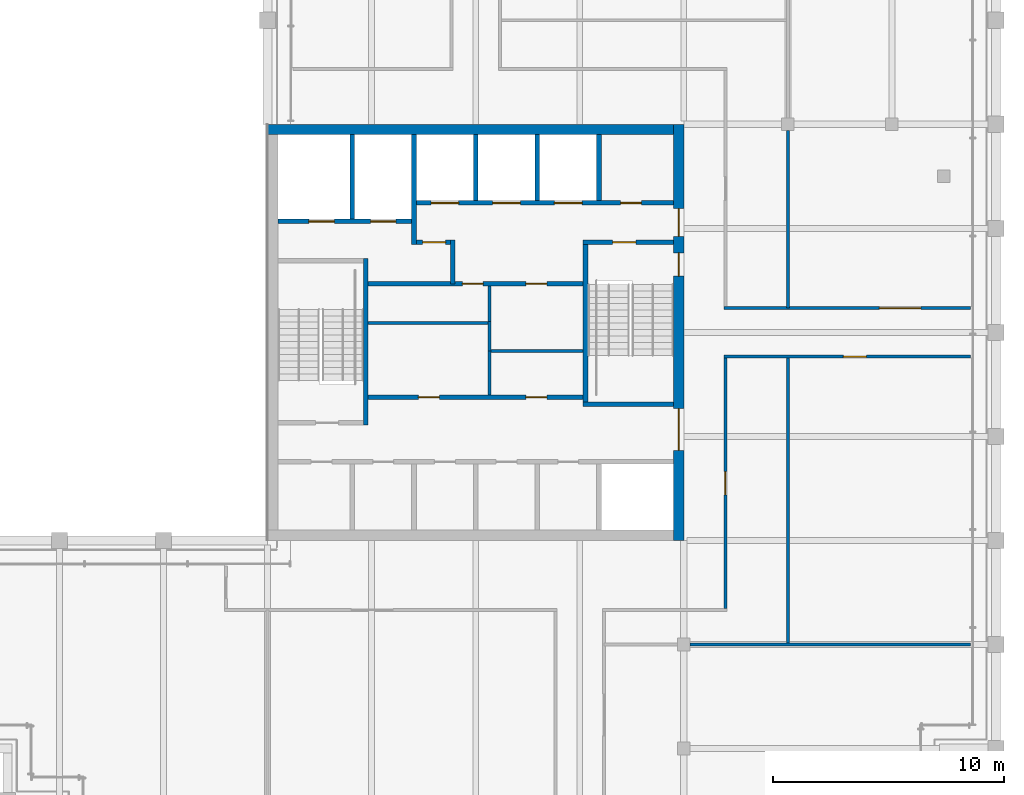
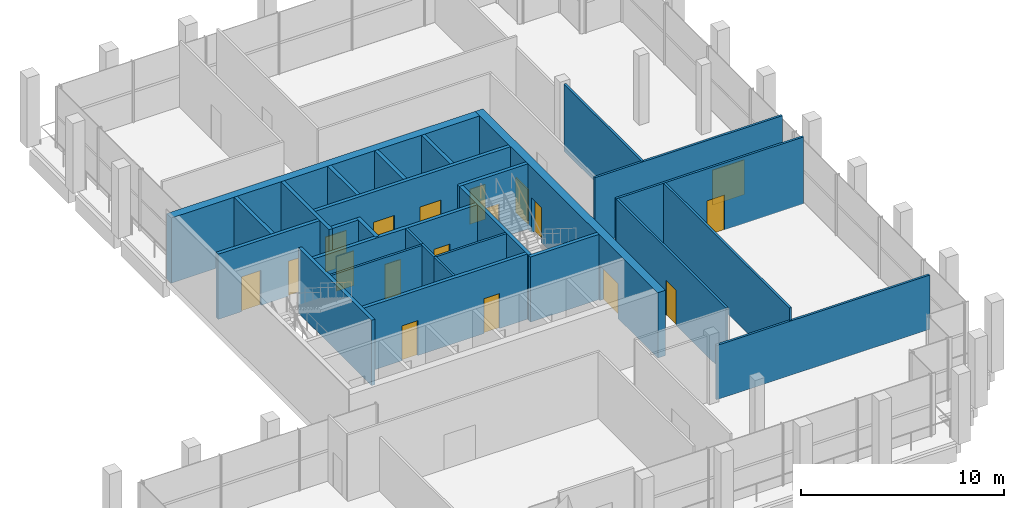
# One storey, part 15 of 17: 28 walls, 18 doors, 18 openings.
"""IFC4 building model written with IfcOpenShell, lengths in metres."""

from ifc_helpers import new_model, si_unit, direction, frame, frame_2d, origin, place, context, subcontext, project, spatial, rectangle, extrude, material, layer, layer_set, type_object, element, fill, save


model = new_model("IFC4")

# Units and contexts
model_context = context("Model", 3, precision=1e-05, world=origin(), true_north=direction((0.0, 1.0)))
body_context = subcontext(model_context, "Body", "Model", "MODEL_VIEW")
ifc_project = project(units=[si_unit("LENGTHUNIT", "METRE"), si_unit("AREAUNIT", "SQUARE_METRE"), si_unit("VOLUMEUNIT", "CUBIC_METRE"), si_unit("PLANEANGLEUNIT", "RADIAN"), si_unit("MASSUNIT", "GRAM", prefix="KILO")], contexts=[model_context])

# Site, building, storey
site_placement = place(None, origin())
site = spatial("IfcSite", under=ifc_project, at=site_placement, CompositionType="ELEMENT")
building_placement = place(site_placement, origin())
building = spatial("IfcBuilding", under=site, at=building_placement, Name="Altepetl Exchange Towers", CompositionType="ELEMENT")
storey_placement = place(building_placement, frame((0.0, 0.0, 259.39990234375)))
storey = spatial("IfcBuildingStorey", under=building, at=storey_placement, Name="L66", CompositionType="ELEMENT", Elevation=259.39990234375)

# Wall, openings, doors
ifc_material_1 = material(Name="Concrete C70/85", Category="concrete")
ifc_layer_1 = layer(ifc_material_1, 0.449951171875)
ifc_layer_set_1 = layer_set([ifc_layer_1], Name="Concrete C70/85")
wall_type_1 = type_object("IfcWallType", Name="Core wall 450 reinforced concrete", PredefinedType="SHEAR", material=ifc_layer_set_1)
wall_1_placement = place(storey_placement, frame((58.27490234375, 40.5, 0.0), z_axis=(0.0, 0.0, 1.0), x_axis=(0.0, 1.0, 0.0)))
wall_1 = element("IfcWall", 1, at=wall_1_placement, inside=storey, type_object=wall_type_1, Name="wall:A:L66:K-coreE", PredefinedType="SHEAR", context=body_context, shape_type="SweptSolid", body=[
    extrude(rectangle(XDim=18.0, YDim=0.449951171875, at=frame_2d((9.0, 0.0))), origin(), (0.0, 0.0, 1.0), 3.925048828125),
])
opening_1_placement = place(wall_1_placement, frame((13.14990234375, 0.0, 0.0)))
opening_1 = element("IfcOpeningElement", 2, at=opening_1_placement, cuts=wall_1, Name="Opening L66.A60", PredefinedType="OPENING", context=body_context, shape_type="SweptSolid", body=[
    extrude(rectangle(XDim=1.199951171875, YDim=2.10009765625, at=frame_2d((0.60009765625, 1.050048828125))), frame((0.0, 0.23486328125, 0.0), z_axis=(0.0, -1.0, 0.0), x_axis=(1.0, 0.0, 0.0)), (0.0, 0.0, 1.0), 0.469970703125),
])
opening_2_placement = place(wall_1_placement, frame((3.89990234375, 0.0, 0.0)))
opening_2 = element("IfcOpeningElement", 3, at=opening_2_placement, cuts=wall_1, Name="Opening L66.A61", PredefinedType="OPENING", context=body_context, shape_type="SweptSolid", body=[
    extrude(rectangle(XDim=1.800048828125, YDim=2.10009765625, at=frame_2d((0.89990234375, 1.050048828125))), frame((0.0, 0.23486328125, 0.0), z_axis=(0.0, -1.0, 0.0), x_axis=(1.0, 0.0, 0.0)), (0.0, 0.0, 1.0), 0.469970703125),
])
opening_3_placement = place(wall_1_placement, frame((11.43994140625, 0.0, 0.0)))
opening_3 = element("IfcOpeningElement", 4, at=opening_3_placement, cuts=wall_1, Name="Opening L66.A64", PredefinedType="OPENING", context=body_context, shape_type="SweptSolid", body=[
    extrude(rectangle(XDim=1.0, YDim=2.10009765625, at=frame_2d((0.5, 1.050048828125))), frame((0.0, 0.23486328125, 0.0), z_axis=(0.0, -1.0, 0.0), x_axis=(1.0, 0.0, 0.0)), (0.0, 0.0, 1.0), 0.469970703125),
])
ifc_material_2 = material(Name="Steel and timber fire door", Category="steel")
door_type_1 = type_object("IfcDoorType", Name="Fire door 1000 x 2100 stair and lobby", OperationType="SINGLE_SWING_LEFT", PredefinedType="DOOR", material=ifc_material_2)
door_1_placement = place(opening_3_placement, origin())
door_1 = element("IfcDoor", 5, at=door_1_placement, inside=storey, type_object=door_type_1, Name="door:A:L66:K-dS2x", OperationType="SINGLE_SWING_RIGHT", OverallHeight=2.10009765625, OverallWidth=1.0, PredefinedType="DOOR", context=body_context, shape_type="SweptSolid", body=[
    extrude(rectangle(XDim=1.0, YDim=2.10009765625, at=frame_2d((0.5, 1.050048828125))), frame((0.0, 0.02490234375, 0.0), z_axis=(0.0, -1.0, 0.0), x_axis=(1.0, 0.0, 0.0)), (0.0, 0.0, 1.0), 0.050048828125),
])
fill(opening_3, door_1)
door_type_2 = type_object("IfcDoorType", Name="Fire door 1200 x 2100 lobby entry", OperationType="SINGLE_SWING_LEFT", PredefinedType="DOOR", material=ifc_material_2)
door_2_placement = place(opening_1_placement, origin())
door_2 = element("IfcDoor", 6, at=door_2_placement, inside=storey, type_object=door_type_2, Name="door:A:L66:K-dLNE", OperationType="SINGLE_SWING_RIGHT", OverallHeight=2.10009765625, OverallWidth=1.199951171875, PredefinedType="DOOR", context=body_context, shape_type="SweptSolid", body=[
    extrude(rectangle(XDim=1.199951171875, YDim=2.10009765625, at=frame_2d((0.60009765625, 1.050048828125))), frame((0.0, 0.02490234375, 0.0), z_axis=(0.0, -1.0, 0.0), x_axis=(1.0, 0.0, 0.0)), (0.0, 0.0, 1.0), 0.050048828125),
])
fill(opening_1, door_2)
door_type_3 = type_object("IfcDoorType", Name="Fire door 1800 x 2100 lobby entry", OperationType="DOUBLE_DOOR_SINGLE_SWING", PredefinedType="DOOR", material=ifc_material_2)
door_3_placement = place(opening_2_placement, origin())
door_3 = element("IfcDoor", 7, at=door_3_placement, inside=storey, type_object=door_type_3, Name="door:A:L66:K-dLSE", OperationType="DOUBLE_DOOR_SINGLE_SWING", OverallHeight=2.10009765625, OverallWidth=1.800048828125, PredefinedType="DOOR", context=body_context, shape_type="SweptSolid", body=[
    extrude(rectangle(XDim=1.800048828125, YDim=2.10009765625, at=frame_2d((0.89990234375, 1.050048828125))), frame((0.0, 0.02490234375, 0.0), z_axis=(0.0, -1.0, 0.0), x_axis=(1.0, 0.0, 0.0)), (0.0, 0.0, 1.0), 0.050048828125),
])
fill(opening_2, door_3)

# Walls
wall_2_placement = place(storey_placement, frame((40.5, 58.27490234375, 0.0)))
element("IfcWall", 8, at=wall_2_placement, inside=storey, type_object=wall_type_1, Name="wall:A:L66:K-coreN", PredefinedType="SHEAR", context=body_context, shape_type="SweptSolid", body=[
    extrude(rectangle(XDim=17.550048828125, YDim=0.449951171875, at=frame_2d((8.77490234375, 0.0))), origin(), (0.0, 0.0, 1.0), 3.925048828125),
])
ifc_material_3 = material(Name="Concrete blockwork", Category="masonry")
ifc_layer_2 = layer(ifc_material_3, 0.199951171875)
ifc_layer_set_2 = layer_set([ifc_layer_2], Name="Concrete blockwork")
wall_type_2 = type_object("IfcWallType", Name="Lobby wall 200 blockwork", PredefinedType="PARTITIONING", material=ifc_layer_set_2)
wall_3_placement = place(storey_placement, frame((48.5, 51.60009765625, 0.0), z_axis=(0.0, 0.0, 1.0), x_axis=(0.0, 1.0, 0.0)))
element("IfcWall", 9, at=wall_3_placement, inside=storey, type_object=wall_type_2, Name="wall:A:L66:K-ffE", PredefinedType="PARTITIONING", context=body_context, shape_type="SweptSolid", body=[
    extrude(rectangle(XDim=1.89990234375, YDim=0.199951171875, at=frame_2d((0.949951171875, 0.0))), origin(), (0.0, 0.0, 1.0), 3.925048828125),
])

# Wall, opening, door
wall_4_placement = place(storey_placement, frame((46.933349609375, 53.39990234375, 0.0)))
wall_4 = element("IfcWall", 10, at=wall_4_placement, inside=storey, type_object=wall_type_2, Name="wall:A:L66:K-ffN", PredefinedType="PARTITIONING", context=body_context, shape_type="SweptSolid", body=[
    extrude(rectangle(XDim=1.466552734375, YDim=0.199951171875, at=frame_2d((0.7333984375, 0.0))), origin(), (0.0, 0.0, 1.0), 3.925048828125),
])
opening_4_placement = place(wall_4_placement, frame((0.2666015625, 0.0, 0.0)))
opening_4 = element("IfcOpeningElement", 11, at=opening_4_placement, cuts=wall_4, Name="Opening L66.A65", PredefinedType="OPENING", context=body_context, shape_type="SweptSolid", body=[
    extrude(rectangle(XDim=1.0, YDim=2.10009765625, at=frame_2d((0.5, 1.050048828125))), frame((0.0, 0.10986328125, 0.0), z_axis=(0.0, -1.0, 0.0), x_axis=(1.0, 0.0, 0.0)), (0.0, 0.0, 1.0), 0.219970703125),
])
door_4_placement = place(opening_4_placement, frame((1.0, 0.0, 0.0), x_axis=(-1.0, 0.0, 0.0)))
door_4 = element("IfcDoor", 12, at=door_4_placement, inside=storey, type_object=door_type_1, Name="door:A:L66:K-dffN", OperationType="SINGLE_SWING_RIGHT", OverallHeight=2.10009765625, OverallWidth=1.0, PredefinedType="DOOR", context=body_context, shape_type="SweptSolid", body=[
    extrude(rectangle(XDim=1.0, YDim=2.10009765625, at=frame_2d((0.5, 1.050048828125))), frame((0.0, 0.02490234375, 0.0), z_axis=(0.0, -1.0, 0.0), x_axis=(1.0, 0.0, 0.0)), (0.0, 0.0, 1.0), 0.050048828125),
])
fill(opening_4, door_4)

# Wall, openings, doors
wall_5_placement = place(storey_placement, frame((44.85009765625, 51.60009765625, 0.0)))
wall_5 = element("IfcWall", 13, at=wall_5_placement, inside=storey, type_object=wall_type_2, Name="wall:A:L66:K-zoneN", PredefinedType="PARTITIONING", context=body_context, shape_type="SweptSolid", body=[
    extrude(rectangle(XDim=9.2998046875, YDim=0.199951171875, at=frame_2d((4.64990234375, 0.0))), origin(), (0.0, 0.0, 1.0), 3.925048828125),
])
opening_5_placement = place(wall_5_placement, frame((4.074951171875, 0.0, 0.0)))
opening_5 = element("IfcOpeningElement", 14, at=opening_5_placement, cuts=wall_5, Name="Opening L66.A73", PredefinedType="OPENING", context=body_context, shape_type="SweptSolid", body=[
    extrude(rectangle(XDim=0.89990234375, YDim=2.10009765625, at=frame_2d((0.449951171875, 1.050048828125))), frame((0.0, 0.10986328125, 0.0), z_axis=(0.0, -1.0, 0.0), x_axis=(1.0, 0.0, 0.0)), (0.0, 0.0, 1.0), 0.219970703125),
])
opening_6_placement = place(wall_5_placement, frame((6.824951171875, 0.0, 0.0)))
opening_6 = element("IfcOpeningElement", 15, at=opening_6_placement, cuts=wall_5, Name="Opening L66.A75", PredefinedType="OPENING", context=body_context, shape_type="SweptSolid", body=[
    extrude(rectangle(XDim=0.89990234375, YDim=2.10009765625, at=frame_2d((0.449951171875, 1.050048828125))), frame((0.0, 0.10986328125, 0.0), z_axis=(0.0, -1.0, 0.0), x_axis=(1.0, 0.0, 0.0)), (0.0, 0.0, 1.0), 0.219970703125),
])
door_type_4 = type_object("IfcDoorType", Name="Fire door 900 x 2100 service room", OperationType="SINGLE_SWING_LEFT", PredefinedType="DOOR", material=ifc_material_2)
door_5_placement = place(opening_5_placement, frame((0.89990234375, 0.0, 0.0), x_axis=(-1.0, 0.0, 0.0)))
door_5 = element("IfcDoor", 16, at=door_5_placement, inside=storey, type_object=door_type_4, Name="door:A:L66:K-dz2", OperationType="SINGLE_SWING_RIGHT", OverallHeight=2.10009765625, OverallWidth=0.89990234375, PredefinedType="DOOR", context=body_context, shape_type="SweptSolid", body=[
    extrude(rectangle(XDim=0.89990234375, YDim=2.10009765625, at=frame_2d((0.449951171875, 1.050048828125))), frame((0.0, 0.02490234375, 0.0), z_axis=(0.0, -1.0, 0.0), x_axis=(1.0, 0.0, 0.0)), (0.0, 0.0, 1.0), 0.050048828125),
])
fill(opening_5, door_5)
door_6_placement = place(opening_6_placement, frame((0.89990234375, 0.0, 0.0), x_axis=(-1.0, 0.0, 0.0)))
door_6 = element("IfcDoor", 17, at=door_6_placement, inside=storey, type_object=door_type_4, Name="door:A:L66:K-dz4", OperationType="SINGLE_SWING_LEFT", OverallHeight=2.10009765625, OverallWidth=0.89990234375, PredefinedType="DOOR", context=body_context, shape_type="SweptSolid", body=[
    extrude(rectangle(XDim=0.89990234375, YDim=2.10009765625, at=frame_2d((0.449951171875, 1.050048828125))), frame((0.0, 0.02490234375, 0.0), z_axis=(0.0, -1.0, 0.0), x_axis=(1.0, 0.0, 0.0)), (0.0, 0.0, 1.0), 0.050048828125),
])
fill(opening_6, door_6)

wall_6_placement = place(storey_placement, frame((44.85009765625, 46.699951171875, 0.0)))
wall_6 = element("IfcWall", 18, at=wall_6_placement, inside=storey, type_object=wall_type_2, Name="wall:A:L66:K-zoneS", PredefinedType="PARTITIONING", context=body_context, shape_type="SweptSolid", body=[
    extrude(rectangle(XDim=9.2998046875, YDim=0.199951171875, at=frame_2d((4.64990234375, 0.0))), origin(), (0.0, 0.0, 1.0), 3.925048828125),
])
opening_7_placement = place(wall_6_placement, frame((2.175048828125, 0.0, 0.0)))
opening_7 = element("IfcOpeningElement", 19, at=opening_7_placement, cuts=wall_6, Name="Opening L66.A72", PredefinedType="OPENING", context=body_context, shape_type="SweptSolid", body=[
    extrude(rectangle(XDim=0.89990234375, YDim=2.10009765625, at=frame_2d((0.449951171875, 1.050048828125))), frame((0.0, 0.10986328125, 0.0), z_axis=(0.0, -1.0, 0.0), x_axis=(1.0, 0.0, 0.0)), (0.0, 0.0, 1.0), 0.219970703125),
])
opening_8_placement = place(wall_6_placement, frame((6.824951171875, 0.0, 0.0)))
opening_8 = element("IfcOpeningElement", 20, at=opening_8_placement, cuts=wall_6, Name="Opening L66.A74", PredefinedType="OPENING", context=body_context, shape_type="SweptSolid", body=[
    extrude(rectangle(XDim=0.89990234375, YDim=2.10009765625, at=frame_2d((0.449951171875, 1.050048828125))), frame((0.0, 0.10986328125, 0.0), z_axis=(0.0, -1.0, 0.0), x_axis=(1.0, 0.0, 0.0)), (0.0, 0.0, 1.0), 0.219970703125),
])
door_7_placement = place(opening_7_placement, origin())
door_7 = element("IfcDoor", 21, at=door_7_placement, inside=storey, type_object=door_type_4, Name="door:A:L66:K-dz1", OperationType="SINGLE_SWING_RIGHT", OverallHeight=2.10009765625, OverallWidth=0.89990234375, PredefinedType="DOOR", context=body_context, shape_type="SweptSolid", body=[
    extrude(rectangle(XDim=0.89990234375, YDim=2.10009765625, at=frame_2d((0.449951171875, 1.050048828125))), frame((0.0, 0.02490234375, 0.0), z_axis=(0.0, -1.0, 0.0), x_axis=(1.0, 0.0, 0.0)), (0.0, 0.0, 1.0), 0.050048828125),
])
fill(opening_7, door_7)
door_8_placement = place(opening_8_placement, origin())
door_8 = element("IfcDoor", 22, at=door_8_placement, inside=storey, type_object=door_type_4, Name="door:A:L66:K-dz3", OperationType="SINGLE_SWING_RIGHT", OverallHeight=2.10009765625, OverallWidth=0.89990234375, PredefinedType="DOOR", context=body_context, shape_type="SweptSolid", body=[
    extrude(rectangle(XDim=0.89990234375, YDim=2.10009765625, at=frame_2d((0.449951171875, 1.050048828125))), frame((0.0, 0.02490234375, 0.0), z_axis=(0.0, -1.0, 0.0), x_axis=(1.0, 0.0, 0.0)), (0.0, 0.0, 1.0), 0.050048828125),
])
fill(opening_8, door_8)

# Walls
ifc_material_4 = material(Name="Gypsum board on steel studs", Category="steel")
ifc_layer_3 = layer(ifc_material_4, 0.125)
ifc_layer_set_3 = layer_set([ifc_layer_3], Name="Gypsum board on steel studs")
wall_type_3 = type_object("IfcWallType", Name="Partition 125 gypsum board on steel studs", PredefinedType="PARTITIONING", material=ifc_layer_set_3)
wall_7_placement = place(storey_placement, frame((50.10009765625, 46.800048828125, 0.0), z_axis=(0.0, 0.0, 1.0), x_axis=(0.0, 1.0, 0.0)))
element("IfcWall", 23, at=wall_7_placement, inside=storey, type_object=wall_type_3, Name="wall:A:L66:K-zp1", PredefinedType="PARTITIONING", context=body_context, shape_type="SweptSolid", body=[
    extrude(rectangle(XDim=1.96240234375, YDim=0.125, at=frame_2d((0.981201171875, 0.0))), origin(), (0.0, 0.0, 1.0), 3.925048828125),
])
wall_8_placement = place(storey_placement, frame((54.14990234375, 48.699951171875, 0.0), z_axis=(0.0, 0.0, 1.0), x_axis=(-1.0, 0.0, 0.0)))
element("IfcWall", 24, at=wall_8_placement, inside=storey, type_object=wall_type_3, Name="wall:A:L66:K-zp2", PredefinedType="PARTITIONING", context=body_context, shape_type="SweptSolid", body=[
    extrude(rectangle(XDim=3.9873046875, YDim=0.125, at=frame_2d((1.99365234375, 0.0))), origin(), (0.0, 0.0, 1.0), 3.925048828125),
])
wall_9_placement = place(storey_placement, frame((50.10009765625, 48.699951171875, 0.0), z_axis=(0.0, 0.0, 1.0), x_axis=(0.0, 1.0, 0.0)))
element("IfcWall", 25, at=wall_9_placement, inside=storey, type_object=wall_type_3, Name="wall:A:L66:K-zp3", PredefinedType="PARTITIONING", context=body_context, shape_type="SweptSolid", body=[
    extrude(rectangle(XDim=1.262451171875, YDim=0.125, at=frame_2d((0.63134765625, 0.0))), origin(), (0.0, 0.0, 1.0), 3.925048828125),
])
wall_10_placement = place(storey_placement, frame((50.03759765625, 49.89990234375, 0.0), z_axis=(0.0, 0.0, 1.0), x_axis=(-1.0, 0.0, 0.0)))
element("IfcWall", 26, at=wall_10_placement, inside=storey, type_object=wall_type_3, Name="wall:A:L66:K-zp4", PredefinedType="PARTITIONING", context=body_context, shape_type="SweptSolid", body=[
    extrude(rectangle(XDim=5.1875, YDim=0.125, at=frame_2d((2.59375, 0.0))), origin(), (0.0, 0.0, 1.0), 3.925048828125),
])
wall_11_placement = place(storey_placement, frame((50.10009765625, 49.89990234375, 0.0), z_axis=(0.0, 0.0, 1.0), x_axis=(0.0, 1.0, 0.0)))
element("IfcWall", 27, at=wall_11_placement, inside=storey, type_object=wall_type_3, Name="wall:A:L66:K-zp5", PredefinedType="PARTITIONING", context=body_context, shape_type="SweptSolid", body=[
    extrude(rectangle(XDim=1.60009765625, YDim=0.125, at=frame_2d((0.800048828125, 0.0))), origin(), (0.0, 0.0, 1.0), 3.925048828125),
])
wall_12_placement = place(storey_placement, frame((58.77490234375, 36.0, 0.0)))
element("IfcWall", 28, at=wall_12_placement, inside=storey, type_object=wall_type_3, Name="wall:A:L66:P02", PredefinedType="PARTITIONING", context=body_context, shape_type="SweptSolid", body=[
    extrude(rectangle(XDim=12.125, YDim=0.125, at=frame_2d((6.0625, 0.0))), origin(), (0.0, 0.0, 1.0), 3.26708984375),
])

# Wall, opening, door
wall_13_placement = place(storey_placement, frame((60.237548828125, 48.449951171875, 0.0)))
wall_13 = element("IfcWall", 29, at=wall_13_placement, inside=storey, type_object=wall_type_3, Name="wall:A:L66:P05", PredefinedType="PARTITIONING", context=body_context, shape_type="SweptSolid", body=[
    extrude(rectangle(XDim=10.662353515625, YDim=0.125, at=frame_2d((5.3310546875, 0.0))), origin(), (0.0, 0.0, 1.0), 4.025146484375),
])
opening_9_placement = place(wall_13_placement, frame((5.16259765625, 0.0, 0.0)))
opening_9 = element("IfcOpeningElement", 30, at=opening_9_placement, cuts=wall_13, Name="Opening L66.A05", PredefinedType="OPENING", context=body_context, shape_type="SweptSolid", body=[
    extrude(rectangle(XDim=1.0, YDim=2.10009765625, at=frame_2d((0.5, 1.050048828125))), frame((0.0, 0.072509765625, 0.0), z_axis=(0.0, -1.0, 0.0), x_axis=(1.0, 0.0, 0.0)), (0.0, 0.0, 1.0), 0.14501953125),
])
door_type_5 = type_object("IfcDoorType", Name="Fire door 1000 x 2100 single leaf", OperationType="SINGLE_SWING_LEFT", PredefinedType="DOOR", material=ifc_material_2)
door_9_placement = place(opening_9_placement, frame((1.0, 0.0, 0.0), x_axis=(-1.0, 0.0, 0.0)))
door_9 = element("IfcDoor", 31, at=door_9_placement, inside=storey, type_object=door_type_5, Name="door:A:L66:05", OperationType="SINGLE_SWING_LEFT", OverallHeight=2.10009765625, OverallWidth=1.0, PredefinedType="DOOR", context=body_context, shape_type="SweptSolid", body=[
    extrude(rectangle(XDim=1.0, YDim=2.10009765625, at=frame_2d((0.5, 1.050048828125))), frame((0.0, 0.02490234375, 0.0), z_axis=(0.0, -1.0, 0.0), x_axis=(1.0, 0.0, 0.0)), (0.0, 0.0, 1.0), 0.050048828125),
])
fill(opening_9, door_9)

wall_14_placement = place(storey_placement, frame((60.237548828125, 50.550048828125, 0.0)))
wall_14 = element("IfcWall", 32, at=wall_14_placement, inside=storey, type_object=wall_type_3, Name="wall:A:L66:P06", PredefinedType="PARTITIONING", context=body_context, shape_type="SweptSolid", body=[
    extrude(rectangle(XDim=10.662353515625, YDim=0.125, at=frame_2d((5.3310546875, 0.0))), origin(), (0.0, 0.0, 1.0), 4.025146484375),
])
opening_10_placement = place(wall_14_placement, frame((6.722412109375, 0.0, 0.0)))
opening_10 = element("IfcOpeningElement", 33, at=opening_10_placement, cuts=wall_14, Name="Opening L66.A06", PredefinedType="OPENING", context=body_context, shape_type="SweptSolid", body=[
    extrude(rectangle(XDim=1.800048828125, YDim=2.10009765625, at=frame_2d((0.89990234375, 1.050048828125))), frame((0.0, 0.072509765625, 0.0), z_axis=(0.0, -1.0, 0.0), x_axis=(1.0, 0.0, 0.0)), (0.0, 0.0, 1.0), 0.14501953125),
])
door_type_6 = type_object("IfcDoorType", Name="Fire door 1800 x 2100 double leaf", OperationType="DOUBLE_DOOR_SINGLE_SWING", PredefinedType="DOOR", material=ifc_material_2)
door_10_placement = place(opening_10_placement, origin())
door_10 = element("IfcDoor", 34, at=door_10_placement, inside=storey, type_object=door_type_6, Name="door:A:L66:06", OperationType="DOUBLE_DOOR_SINGLE_SWING", OverallHeight=2.10009765625, OverallWidth=1.800048828125, PredefinedType="DOOR", context=body_context, shape_type="SweptSolid", body=[
    extrude(rectangle(XDim=1.800048828125, YDim=2.10009765625, at=frame_2d((0.89990234375, 1.050048828125))), frame((0.0, 0.02490234375, 0.0), z_axis=(0.0, -1.0, 0.0), x_axis=(1.0, 0.0, 0.0)), (0.0, 0.0, 1.0), 0.050048828125),
])
fill(opening_10, door_10)

wall_15_placement = place(storey_placement, frame((60.300048828125, 37.5625, 0.0), z_axis=(0.0, 0.0, 1.0), x_axis=(0.0, 1.0, 0.0)))
wall_15 = element("IfcWall", 35, at=wall_15_placement, inside=storey, type_object=wall_type_3, Name="wall:A:L66:P16", PredefinedType="PARTITIONING", context=body_context, shape_type="SweptSolid", body=[
    extrude(rectangle(XDim=10.824951171875, YDim=0.125, at=frame_2d((5.41259765625, 0.0))), origin(), (0.0, 0.0, 1.0), 4.025146484375),
])
opening_11_placement = place(wall_15_placement, frame((4.91259765625, 0.0, 0.0)))
opening_11 = element("IfcOpeningElement", 36, at=opening_11_placement, cuts=wall_15, Name="Opening L66.A04", PredefinedType="OPENING", context=body_context, shape_type="SweptSolid", body=[
    extrude(rectangle(XDim=1.0, YDim=2.10009765625, at=frame_2d((0.5, 1.050048828125))), frame((0.0, 0.072509765625, 0.0), z_axis=(0.0, -1.0, 0.0), x_axis=(1.0, 0.0, 0.0)), (0.0, 0.0, 1.0), 0.14501953125),
])
door_11_placement = place(opening_11_placement, frame((1.0, 0.0, 0.0), x_axis=(-1.0, 0.0, 0.0)))
door_11 = element("IfcDoor", 37, at=door_11_placement, inside=storey, type_object=door_type_5, Name="door:A:L66:04", OperationType="SINGLE_SWING_RIGHT", OverallHeight=2.10009765625, OverallWidth=1.0, PredefinedType="DOOR", context=body_context, shape_type="SweptSolid", body=[
    extrude(rectangle(XDim=1.0, YDim=2.10009765625, at=frame_2d((0.5, 1.050048828125))), frame((0.0, 0.02490234375, 0.0), z_axis=(0.0, -1.0, 0.0), x_axis=(1.0, 0.0, 0.0)), (0.0, 0.0, 1.0), 0.050048828125),
])
fill(opening_11, door_11)

# Walls
wall_16_placement = place(storey_placement, frame((63.0, 36.0, 0.0), z_axis=(0.0, 0.0, 1.0), x_axis=(0.0, 1.0, 0.0)))
element("IfcWall", 38, at=wall_16_placement, inside=storey, type_object=wall_type_3, Name="wall:A:L66:P18", PredefinedType="PARTITIONING", context=body_context, shape_type="SweptSolid", body=[
    extrude(rectangle(XDim=12.449951171875, YDim=0.125, at=frame_2d((6.22509765625, 0.0))), origin(), (0.0, 0.0, 1.0), 4.025146484375),
])
wall_17_placement = place(storey_placement, frame((63.0, 50.550048828125, 0.0), z_axis=(0.0, 0.0, 1.0), x_axis=(0.0, 1.0, 0.0)))
element("IfcWall", 39, at=wall_17_placement, inside=storey, type_object=wall_type_3, Name="wall:A:L66:P19", PredefinedType="PARTITIONING", context=body_context, shape_type="SweptSolid", body=[
    extrude(rectangle(XDim=7.675048828125, YDim=0.125, at=frame_2d((3.83740234375, 0.0))), origin(), (0.0, 0.0, 1.0), 4.025146484375),
])
ifc_material_5 = material(Name="Concrete C40/50", Category="concrete")
ifc_layer_4 = layer(ifc_material_5, 0.199951171875)
ifc_layer_set_4 = layer_set([ifc_layer_4], Name="Concrete C40/50")
wall_type_4 = type_object("IfcWallType", Name="Shaft wall 200 reinforced concrete", PredefinedType="SHEAR", material=ifc_layer_set_4)
wall_18_placement = place(storey_placement, frame((44.166748046875, 58.050048828125, 0.0), z_axis=(0.0, 0.0, 1.0), x_axis=(0.0, -1.0, 0.0)))
element("IfcWall", 40, at=wall_18_placement, inside=storey, type_object=wall_type_4, Name="wall:A:L66:K-divN1", PredefinedType="SHEAR", context=body_context, shape_type="SweptSolid", body=[
    extrude(rectangle(XDim=3.650146484375, YDim=0.199951171875, at=frame_2d((1.8251953125, 0.0))), origin(), (0.0, 0.0, 1.0), 3.925048828125),
])
wall_19_placement = place(storey_placement, frame((46.833251953125, 58.050048828125, 0.0), z_axis=(0.0, 0.0, 1.0), x_axis=(0.0, -1.0, 0.0)))
element("IfcWall", 41, at=wall_19_placement, inside=storey, type_object=wall_type_4, Name="wall:A:L66:K-divN2", PredefinedType="SHEAR", context=body_context, shape_type="SweptSolid", body=[
    extrude(rectangle(XDim=4.75, YDim=0.199951171875, at=frame_2d((2.375, 0.0))), origin(), (0.0, 0.0, 1.0), 3.925048828125),
])
for number, where, z_axis, x_axis, name in (
    (42, (49.5, 58.050048828125, 0.0), (0.0, 0.0, 1.0), (0.0, -1.0, 0.0), "wall:A:L66:K-divN3"),
    (43, (52.166748046875, 58.050048828125, 0.0), (0.0, 0.0, 1.0), (0.0, -1.0, 0.0), "wall:A:L66:K-divN4"),
    (44, (54.833251953125, 58.050048828125, 0.0), (0.0, 0.0, 1.0), (0.0, -1.0, 0.0), "wall:A:L66:K-divN5"),
):
    element("IfcWall", number, at=place(storey_placement, frame(where, z_axis=z_axis, x_axis=x_axis)), inside=storey, type_object=wall_type_4, Name=name, PredefinedType="SHEAR", context=body_context, shape_type="SweptSolid", body=[
        extrude(rectangle(XDim=2.85009765625, YDim=0.199951171875, at=frame_2d((1.425048828125, 0.0))), origin(), (0.0, 0.0, 1.0), 3.925048828125),
    ])

# Wall, openings, doors
wall_20_placement = place(storey_placement, frame((46.933349609375, 55.10009765625, 0.0)))
wall_20 = element("IfcWall", 45, at=wall_20_placement, inside=storey, type_object=wall_type_4, Name="wall:A:L66:K-frontNb", PredefinedType="SHEAR", context=body_context, shape_type="SweptSolid", body=[
    extrude(rectangle(XDim=11.11669921875, YDim=0.199951171875, at=frame_2d((5.558349609375, 0.0))), origin(), (0.0, 0.0, 1.0), 3.925048828125),
])
opening_12_placement = place(wall_20_placement, frame((8.83349609375, 0.0, 0.0)))
opening_12 = element("IfcOpeningElement", 46, at=opening_12_placement, cuts=wall_20, Name="Opening L66.A66", PredefinedType="OPENING", context=body_context, shape_type="SweptSolid", body=[
    extrude(rectangle(XDim=0.89990234375, YDim=2.10009765625, at=frame_2d((0.449951171875, 1.050048828125))), frame((0.0, 0.10986328125, 0.0), z_axis=(0.0, -1.0, 0.0), x_axis=(1.0, 0.0, 0.0)), (0.0, 0.0, 1.0), 0.219970703125),
])
opening_13_placement = place(wall_20_placement, frame((0.63330078125, 0.0, 0.0)))
opening_13 = element("IfcOpeningElement", 47, at=opening_13_placement, cuts=wall_20, Name="Opening L66.A78", PredefinedType="OPENING", context=body_context, shape_type="SweptSolid", body=[
    extrude(rectangle(XDim=1.199951171875, YDim=2.10009765625, at=frame_2d((0.60009765625, 1.050048828125))), frame((0.0, 0.10986328125, 0.0), z_axis=(0.0, -1.0, 0.0), x_axis=(1.0, 0.0, 0.0)), (0.0, 0.0, 1.0), 0.219970703125),
])
opening_14_placement = place(wall_20_placement, frame((3.300048828125, 0.0, 0.0)))
opening_14 = element("IfcOpeningElement", 48, at=opening_14_placement, cuts=wall_20, Name="Opening L66.A79", PredefinedType="OPENING", context=body_context, shape_type="SweptSolid", body=[
    extrude(rectangle(XDim=1.199951171875, YDim=2.10009765625, at=frame_2d((0.60009765625, 1.050048828125))), frame((0.0, 0.10986328125, 0.0), z_axis=(0.0, -1.0, 0.0), x_axis=(1.0, 0.0, 0.0)), (0.0, 0.0, 1.0), 0.219970703125),
])
opening_15_placement = place(wall_20_placement, frame((5.966796875, 0.0, 0.0)))
opening_15 = element("IfcOpeningElement", 49, at=opening_15_placement, cuts=wall_20, Name="Opening L66.A80", PredefinedType="OPENING", context=body_context, shape_type="SweptSolid", body=[
    extrude(rectangle(XDim=1.199951171875, YDim=2.10009765625, at=frame_2d((0.60009765625, 1.050048828125))), frame((0.0, 0.10986328125, 0.0), z_axis=(0.0, -1.0, 0.0), x_axis=(1.0, 0.0, 0.0)), (0.0, 0.0, 1.0), 0.219970703125),
])
door_12_placement = place(opening_12_placement, origin())
door_12 = element("IfcDoor", 50, at=door_12_placement, inside=storey, type_object=door_type_4, Name="door:A:L66:K-driser", OperationType="SINGLE_SWING_RIGHT", OverallHeight=2.10009765625, OverallWidth=0.89990234375, PredefinedType="DOOR", context=body_context, shape_type="SweptSolid", body=[
    extrude(rectangle(XDim=0.89990234375, YDim=2.10009765625, at=frame_2d((0.449951171875, 1.050048828125))), frame((0.0, 0.02490234375, 0.0), z_axis=(0.0, -1.0, 0.0), x_axis=(1.0, 0.0, 0.0)), (0.0, 0.0, 1.0), 0.050048828125),
])
fill(opening_12, door_12)
ifc_material_6 = material(Name="Stainless steel", Category="steel")
door_type_7 = type_object("IfcDoorType", Name="Lift landing door 1200 x 2100", OperationType="SLIDING_TO_LEFT", PredefinedType="DOOR", material=ifc_material_6)
door_13_placement = place(opening_13_placement, origin())
door_13 = element("IfcDoor", 51, at=door_13_placement, inside=storey, type_object=door_type_7, Name="Landing door P5", OperationType="SLIDING_TO_LEFT", OverallHeight=2.10009765625, OverallWidth=1.199951171875, PredefinedType="DOOR", context=body_context, shape_type="SweptSolid", body=[
    extrude(rectangle(XDim=1.199951171875, YDim=2.10009765625, at=frame_2d((0.60009765625, 1.050048828125))), frame((0.0, 0.02490234375, 0.0), z_axis=(0.0, -1.0, 0.0), x_axis=(1.0, 0.0, 0.0)), (0.0, 0.0, 1.0), 0.050048828125),
])
fill(opening_13, door_13)
door_14_placement = place(opening_14_placement, origin())
door_14 = element("IfcDoor", 52, at=door_14_placement, inside=storey, type_object=door_type_7, Name="Landing door P6", OperationType="SLIDING_TO_LEFT", OverallHeight=2.10009765625, OverallWidth=1.199951171875, PredefinedType="DOOR", context=body_context, shape_type="SweptSolid", body=[
    extrude(rectangle(XDim=1.199951171875, YDim=2.10009765625, at=frame_2d((0.60009765625, 1.050048828125))), frame((0.0, 0.02490234375, 0.0), z_axis=(0.0, -1.0, 0.0), x_axis=(1.0, 0.0, 0.0)), (0.0, 0.0, 1.0), 0.050048828125),
])
fill(opening_14, door_14)
door_15_placement = place(opening_15_placement, origin())
door_15 = element("IfcDoor", 53, at=door_15_placement, inside=storey, type_object=door_type_7, Name="Landing door P7", OperationType="SLIDING_TO_LEFT", OverallHeight=2.10009765625, OverallWidth=1.199951171875, PredefinedType="DOOR", context=body_context, shape_type="SweptSolid", body=[
    extrude(rectangle(XDim=1.199951171875, YDim=2.10009765625, at=frame_2d((0.60009765625, 1.050048828125))), frame((0.0, 0.02490234375, 0.0), z_axis=(0.0, -1.0, 0.0), x_axis=(1.0, 0.0, 0.0)), (0.0, 0.0, 1.0), 0.050048828125),
])
fill(opening_15, door_15)

wall_21_placement = place(storey_placement, frame((40.949951171875, 54.300048828125, 0.0)))
wall_21 = element("IfcWall", 54, at=wall_21_placement, inside=storey, type_object=wall_type_4, Name="wall:A:L66:K-frontNd", PredefinedType="SHEAR", context=body_context, shape_type="SweptSolid", body=[
    extrude(rectangle(XDim=5.783447265625, YDim=0.199951171875, at=frame_2d((2.8916015625, 0.0))), origin(), (0.0, 0.0, 1.0), 3.925048828125),
])
opening_16_placement = place(wall_21_placement, frame((1.333251953125, 0.0, 0.0)))
opening_16 = element("IfcOpeningElement", 55, at=opening_16_placement, cuts=wall_21, Name="Opening L66.A76", PredefinedType="OPENING", context=body_context, shape_type="SweptSolid", body=[
    extrude(rectangle(XDim=1.10009765625, YDim=2.10009765625, at=frame_2d((0.550048828125, 1.050048828125))), frame((0.0, 0.10986328125, 0.0), z_axis=(0.0, -1.0, 0.0), x_axis=(1.0, 0.0, 0.0)), (0.0, 0.0, 1.0), 0.219970703125),
])
opening_17_placement = place(wall_21_placement, frame((4.0, 0.0, 0.0)))
opening_17 = element("IfcOpeningElement", 56, at=opening_17_placement, cuts=wall_21, Name="Opening L66.A77", PredefinedType="OPENING", context=body_context, shape_type="SweptSolid", body=[
    extrude(rectangle(XDim=1.10009765625, YDim=2.10009765625, at=frame_2d((0.550048828125, 1.050048828125))), frame((0.0, 0.10986328125, 0.0), z_axis=(0.0, -1.0, 0.0), x_axis=(1.0, 0.0, 0.0)), (0.0, 0.0, 1.0), 0.219970703125),
])
door_type_8 = type_object("IfcDoorType", Name="Lift landing door 1100 x 2100", OperationType="SLIDING_TO_LEFT", PredefinedType="DOOR", material=ifc_material_6)
door_16_placement = place(opening_16_placement, origin())
door_16 = element("IfcDoor", 57, at=door_16_placement, inside=storey, type_object=door_type_8, Name="Landing door FFL1", OperationType="SLIDING_TO_LEFT", OverallHeight=2.10009765625, OverallWidth=1.10009765625, PredefinedType="DOOR", context=body_context, shape_type="SweptSolid", body=[
    extrude(rectangle(XDim=1.10009765625, YDim=2.10009765625, at=frame_2d((0.550048828125, 1.050048828125))), frame((0.0, 0.02490234375, 0.0), z_axis=(0.0, -1.0, 0.0), x_axis=(1.0, 0.0, 0.0)), (0.0, 0.0, 1.0), 0.050048828125),
])
fill(opening_16, door_16)
door_17_placement = place(opening_17_placement, origin())
door_17 = element("IfcDoor", 58, at=door_17_placement, inside=storey, type_object=door_type_8, Name="Landing door FFL2", OperationType="SLIDING_TO_LEFT", OverallHeight=2.10009765625, OverallWidth=1.10009765625, PredefinedType="DOOR", context=body_context, shape_type="SweptSolid", body=[
    extrude(rectangle(XDim=1.10009765625, YDim=2.10009765625, at=frame_2d((0.550048828125, 1.050048828125))), frame((0.0, 0.02490234375, 0.0), z_axis=(0.0, -1.0, 0.0), x_axis=(1.0, 0.0, 0.0)), (0.0, 0.0, 1.0), 0.050048828125),
])
fill(opening_17, door_17)

# Wall
ifc_layer_5 = layer(ifc_material_5, 0.199951171875)
ifc_layer_set_5 = layer_set([ifc_layer_5], Name="Concrete C40/50")
wall_type_5 = type_object("IfcWallType", Name="Stair wall 200 reinforced concrete", PredefinedType="SHEAR", material=ifc_layer_set_5)
wall_22_placement = place(storey_placement, frame((44.75, 45.5, 0.0), z_axis=(0.0, 0.0, 1.0), x_axis=(0.0, 1.0, 0.0)))
element("IfcWall", 59, at=wall_22_placement, inside=storey, type_object=wall_type_5, Name="wall:A:L66:K-stS1E", PredefinedType="SHEAR", context=body_context, shape_type="SweptSolid", body=[
    extrude(rectangle(XDim=7.199951171875, YDim=0.199951171875, at=frame_2d((3.60009765625, 0.0))), origin(), (0.0, 0.0, 1.0), 3.925048828125),
])

# Wall, opening, door
wall_23_placement = place(storey_placement, frame((54.14990234375, 53.39990234375, 0.0)))
wall_23 = element("IfcWall", 60, at=wall_23_placement, inside=storey, type_object=wall_type_5, Name="wall:A:L66:K-stS2N", PredefinedType="SHEAR", context=body_context, shape_type="SweptSolid", body=[
    extrude(rectangle(XDim=3.900146484375, YDim=0.199951171875, at=frame_2d((1.9501953125, 0.0))), origin(), (0.0, 0.0, 1.0), 3.925048828125),
])
opening_18_placement = place(wall_23_placement, frame((1.27490234375, 0.0, 0.0)))
opening_18 = element("IfcOpeningElement", 61, at=opening_18_placement, cuts=wall_23, Name="Opening L66.A63", PredefinedType="OPENING", context=body_context, shape_type="SweptSolid", body=[
    extrude(rectangle(XDim=1.0, YDim=2.10009765625, at=frame_2d((0.5, 1.050048828125))), frame((0.0, 0.10986328125, 0.0), z_axis=(0.0, -1.0, 0.0), x_axis=(1.0, 0.0, 0.0)), (0.0, 0.0, 1.0), 0.219970703125),
])
door_18_placement = place(opening_18_placement, frame((1.0, 0.0, 0.0), x_axis=(-1.0, 0.0, 0.0)))
door_18 = element("IfcDoor", 62, at=door_18_placement, inside=storey, type_object=door_type_1, Name="door:A:L66:K-dS2in", OperationType="SINGLE_SWING_LEFT", OverallHeight=2.10009765625, OverallWidth=1.0, PredefinedType="DOOR", context=body_context, shape_type="SweptSolid", body=[
    extrude(rectangle(XDim=1.0, YDim=2.10009765625, at=frame_2d((0.5, 1.050048828125))), frame((0.0, 0.02490234375, 0.0), z_axis=(0.0, -1.0, 0.0), x_axis=(1.0, 0.0, 0.0)), (0.0, 0.0, 1.0), 0.050048828125),
])
fill(opening_18, door_18)

# Walls
wall_24_placement = place(storey_placement, frame((54.14990234375, 46.39990234375, 0.0)))
element("IfcWall", 63, at=wall_24_placement, inside=storey, type_object=wall_type_5, Name="wall:A:L66:K-stS2S", PredefinedType="SHEAR", context=body_context, shape_type="SweptSolid", body=[
    extrude(rectangle(XDim=3.900146484375, YDim=0.199951171875, at=frame_2d((1.9501953125, 0.0))), origin(), (0.0, 0.0, 1.0), 3.925048828125),
])
wall_25_placement = place(storey_placement, frame((54.25, 46.5, 0.0), z_axis=(0.0, 0.0, 1.0), x_axis=(0.0, 1.0, 0.0)))
element("IfcWall", 64, at=wall_25_placement, inside=storey, type_object=wall_type_5, Name="wall:A:L66:K-stS2W", PredefinedType="SHEAR", context=body_context, shape_type="SweptSolid", body=[
    extrude(rectangle(XDim=6.800048828125, YDim=0.199951171875, at=frame_2d((3.39990234375, 0.0))), origin(), (0.0, 0.0, 1.0), 3.925048828125),
])

save(model, "model.ifc")
